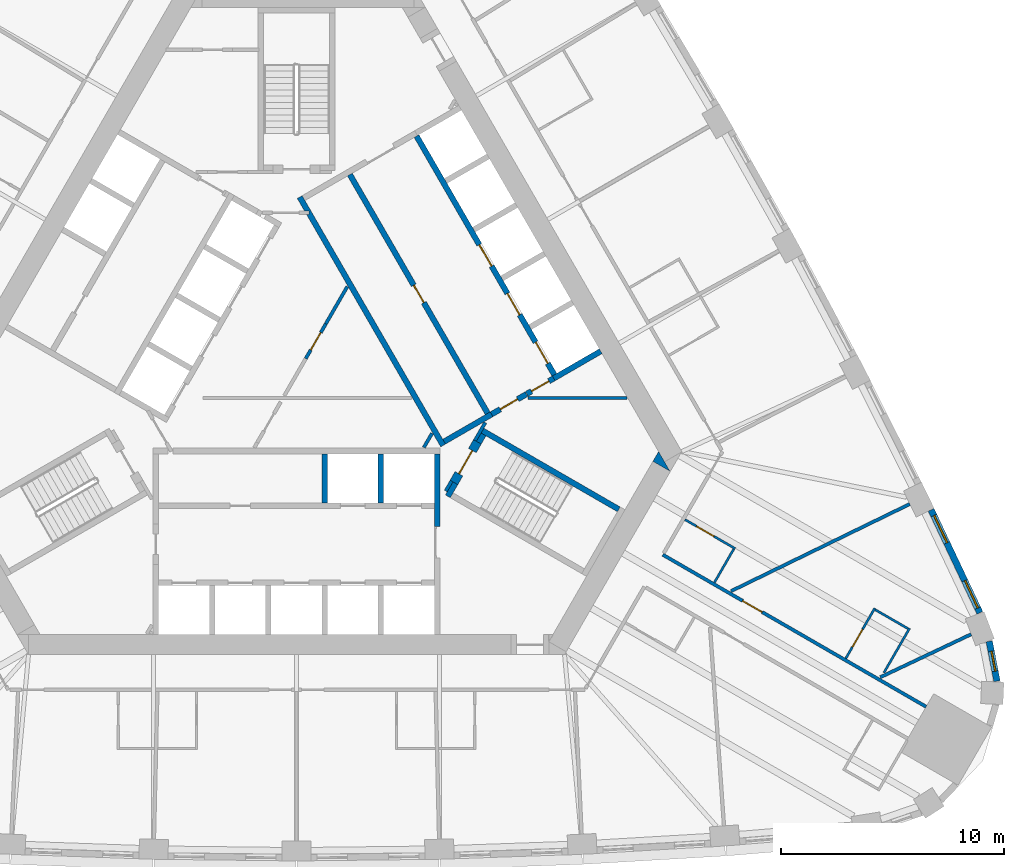
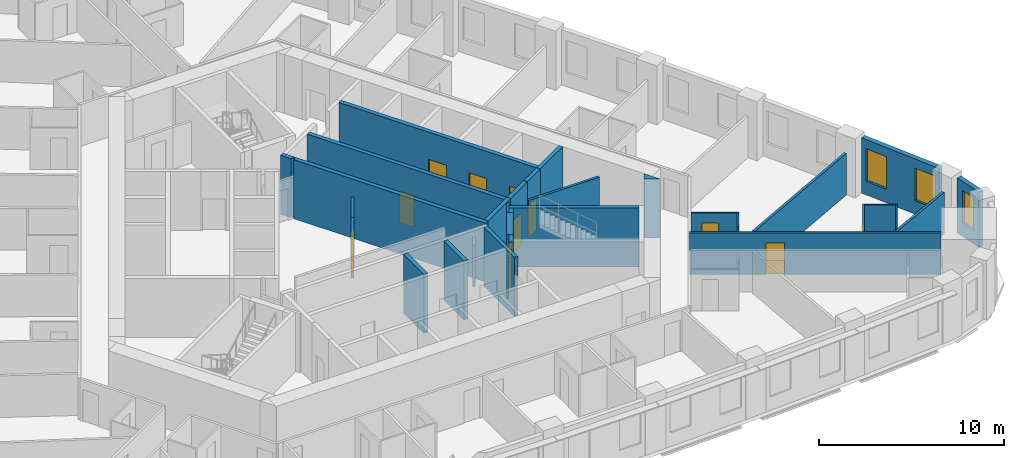
# One storey, part 8 of 13: 31 walls, 11 doors, 3 windows, 14 openings.
"""IFC4 building model written with IfcOpenShell, lengths in metres."""

from ifc_helpers import new_model, si_unit, direction, frame, frame_2d, origin, place, context, subcontext, project, spatial, polyline, rectangle, outline, extrude, material, layer, layer_set, type_object, element, fill, save


model = new_model("IFC4")

# Units and contexts
model_context = context("Model", 3, precision=1e-05, world=origin(), true_north=direction((0.0, 1.0)))
body_context = subcontext(model_context, "Body", "Model", "MODEL_VIEW")
ifc_project = project(units=[si_unit("LENGTHUNIT", "METRE"), si_unit("AREAUNIT", "SQUARE_METRE"), si_unit("VOLUMEUNIT", "CUBIC_METRE"), si_unit("PLANEANGLEUNIT", "RADIAN"), si_unit("MASSUNIT", "GRAM", prefix="KILO")], contexts=[model_context])

# Site, building, storey
site_placement = place(None, origin())
site = spatial("IfcSite", under=ifc_project, at=site_placement, CompositionType="ELEMENT")
building_placement = place(site_placement, origin())
building = spatial("IfcBuilding", under=site, at=building_placement, Name="Mestral Congress Tower", CompositionType="ELEMENT")
storey_placement = place(building_placement, frame((0.0, 0.0, 95.39990234375)))
storey = spatial("IfcBuildingStorey", under=building, at=storey_placement, Name="L22", CompositionType="ELEMENT", Elevation=95.39990234375)

# Walls
ifc_material_1 = material(Name="Fire-rated board partition")
ifc_layer_1 = layer(ifc_material_1, 0.14990234375)
ifc_layer_set_1 = layer_set([ifc_layer_1], Name="Fire-rated board partition")
wall_type_1 = type_object("IfcWallType", Name="Core partition 150", PredefinedType="PARTITIONING", material=ifc_layer_set_1)
wall_1_placement = place(storey_placement, frame((6.94482421875, -5.22216796875, 0.0), z_axis=(0.0, 0.0, 1.0), x_axis=(-0.499818422106, -0.866130212453, 0.0)))
element("IfcWall", 1, at=wall_1_placement, inside=storey, type_object=wall_type_1, Name="L22 core wall", PredefinedType="PARTITIONING", context=body_context, shape_type="SweptSolid", body=[
    extrude(rectangle(XDim=0.513916015625, YDim=0.14990234375, at=frame_2d((0.2568359375, 0.0))), origin(), (0.0, 0.0, 1.0), 2.75),
])
wall_2_placement = place(storey_placement, frame((5.704833984375, -3.718017578125, 0.0), z_axis=(0.0, 0.0, 1.0), x_axis=(0.499962090823, 0.866047289552, 0.0)))
element("IfcWall", 2, at=wall_2_placement, inside=storey, type_object=wall_type_1, Name="L22 core wall", PredefinedType="PARTITIONING", context=body_context, shape_type="SweptSolid", body=[
    extrude(rectangle(XDim=0.73486328125, YDim=0.14990234375, at=frame_2d((0.367431640625, 0.0))), origin(), (0.0, 0.0, 1.0), 2.75),
])
wall_3_placement = place(storey_placement, frame((10.362060546875, -1.5, 0.0), z_axis=(0.0, 0.0, 1.0), x_axis=(1.0, 0.0, 0.0)))
element("IfcWall", 3, at=wall_3_placement, inside=storey, type_object=wall_type_1, Name="L22 core wall", PredefinedType="PARTITIONING", context=body_context, shape_type="SweptSolid", body=[
    extrude(rectangle(XDim=4.439208984375, YDim=0.14990234375, at=frame_2d((2.2197265625, 0.0))), origin(), (0.0, 0.0, 1.0), 2.75),
])
wall_4_placement = place(storey_placement, frame((1.311767578125, 1.822021484375, 0.0), z_axis=(0.0, 0.0, 1.0), x_axis=(0.500003549559, 0.866023354436, 0.0)))
element("IfcWall", 4, at=wall_4_placement, inside=storey, type_object=wall_type_1, Name="L22 core wall", PredefinedType="PARTITIONING", context=body_context, shape_type="SweptSolid", body=[
    extrude(rectangle(XDim=1.9296875, YDim=0.14990234375, at=frame_2d((0.96484375, 0.0))), origin(), (0.0, 0.0, 1.0), 2.75),
])

# Wall, opening, door
wall_5_placement = place(storey_placement, frame((0.41162109375, 0.26318359375, 0.0), z_axis=(0.0, 0.0, 1.0), x_axis=(0.500062916607, 0.865989075817, 0.0)))
wall_5 = element("IfcWall", 5, at=wall_5_placement, inside=storey, type_object=wall_type_1, Name="L22 door wall", PredefinedType="PARTITIONING", context=body_context, shape_type="SweptSolid", body=[
    extrude(rectangle(XDim=1.800048828125, YDim=0.14990234375, at=frame_2d((0.89990234375, 0.0))), origin(), (0.0, 0.0, 1.0), 2.75),
])
opening_1_placement = place(wall_5_placement, frame((0.449951171875, 0.0, 0.0)))
opening_1 = element("IfcOpeningElement", 6, at=opening_1_placement, cuts=wall_5, Name="Opening SD-HUB1", PredefinedType="OPENING", context=body_context, shape_type="SweptSolid", body=[
    extrude(rectangle(XDim=0.89990234375, YDim=2.10009765625, at=frame_2d((0.449951171875, 1.050048828125))), frame((0.0, 0.0849609375, 0.0), z_axis=(0.0, -1.0, 0.0), x_axis=(1.0, 0.0, 0.0)), (0.0, 0.0, 1.0), 0.169921875),
])
ifc_material_2 = material(Name="Fire-rated steel door set", Category="steel")
door_type_1 = type_object("IfcDoorType", Name="Core door SR 900x2100", OperationType="SINGLE_SWING_LEFT", PredefinedType="DOOR", material=ifc_material_2)
door_1_placement = place(opening_1_placement, origin())
door_1 = element("IfcDoor", 7, at=door_1_placement, inside=storey, type_object=door_type_1, Name="Door SD-HUB1", OperationType="SINGLE_SWING_LEFT", OverallHeight=2.10009765625, OverallWidth=0.89990234375, PredefinedType="DOOR", context=body_context, shape_type="SweptSolid", body=[
    extrude(rectangle(XDim=0.89990234375, YDim=2.10009765625, at=frame_2d((0.449951171875, 1.050048828125))), frame((0.0, 0.02490234375, 0.0), z_axis=(0.0, -1.0, 0.0), x_axis=(1.0, 0.0, 0.0)), (0.0, 0.0, 1.0), 0.050048828125),
])
fill(opening_1, door_1)

# Wall
ifc_material_3 = material(Name="Concrete C60/75", Category="concrete")
ifc_layer_2 = layer(ifc_material_3, 0.89990234375)
ifc_layer_set_2 = layer_set([ifc_layer_2], Name="Concrete C60/75")
wall_type_2 = type_object("IfcWallType", Name="Core wall RC 900", PredefinedType="SOLIDWALL", material=ifc_layer_set_2)
placement = place(storey_placement, origin())
element("IfcWall", 8, at=placement, inside=storey, type_object=wall_type_2, Name="L22 core wall", PredefinedType="SOLIDWALL", context=body_context, shape_type="SweptSolid", body=[
    extrude(outline(polyline([(16.223388671875, -3.900146484375), (16.731689453125, -4.780029296875), (15.969482421875, -4.340087890625), (16.223388671875, -3.900146484375)])), origin(), (0.0, 0.0, 1.0), 3.900146484375),
])

# Wall, opening, window
ifc_material_4 = material(Name="Precast concrete C40/50 with limestone facing", Category="masonry")
ifc_layer_3 = layer(ifc_material_4, 0.2900390625)
ifc_layer_set_3 = layer_set([ifc_layer_3], Name="Precast concrete C40/50 with limestone facing")
wall_type_3 = type_object("IfcWallType", Name="Facade stone wall 290", PredefinedType="SOLIDWALL", material=ifc_layer_set_3)
wall_7_placement = place(storey_placement, frame((31.385498046875, -14.189208984375, 0.0), z_axis=(0.0, 0.0, 1.0), x_axis=(-0.190409913989, 0.981704672829, 0.0)))
wall_7 = element("IfcWall", 9, at=wall_7_placement, inside=storey, type_object=wall_type_3, Name="Facade wall K0-3", PredefinedType="SOLIDWALL", context=body_context, shape_type="SweptSolid", body=[
    extrude(rectangle(XDim=1.8193359375, YDim=0.2900390625, at=frame_2d((0.90966796875, 0.0))), origin(), (0.0, 0.0, 1.0), 3.650146484375),
])
opening_2_placement = place(wall_7_placement, frame((0.459716796875, 0.0, 0.89990234375)))
opening_2 = element("IfcOpeningElement", 10, at=opening_2_placement, cuts=wall_7, Name="Opening W3", PredefinedType="OPENING", context=body_context, shape_type="SweptSolid", body=[
    extrude(rectangle(XDim=0.89990234375, YDim=2.14990234375, at=frame_2d((0.449951171875, 1.074951171875))), frame((0.0, 0.155029296875, 0.0), z_axis=(0.0, -1.0, 0.0), x_axis=(1.0, 0.0, 0.0)), (0.0, 0.0, 1.0), 0.31005859375),
])
ifc_material_5 = material(Name="Clear low-emissivity double glazing", Category="glass")
window_type_1 = type_object("IfcWindowType", Name="Facade punched window 900 x 2150 sill 900", PartitioningType="SINGLE_PANEL", PredefinedType="WINDOW", material=ifc_material_5)
window_1_placement = place(opening_2_placement, origin())
window_1 = element("IfcWindow", 11, at=window_1_placement, inside=storey, type_object=window_type_1, Name="Window K0-3", OverallHeight=2.14990234375, OverallWidth=0.89990234375, PartitioningType="SINGLE_PANEL", PredefinedType="WINDOW", context=body_context, shape_type="SweptSolid", body=[
    extrude(rectangle(XDim=0.89990234375, YDim=2.14990234375, at=frame_2d((0.449951171875, 1.074951171875))), frame((0.0, 0.01513671875, 0.0), z_axis=(0.0, -1.0, 0.0), x_axis=(1.0, 0.0, 0.0)), (0.0, 0.0, 1.0), 0.06005859375),
])
fill(opening_2, window_1)

# Wall, openings, windows
wall_8_placement = place(storey_placement, frame((30.61962890625, -11.127197265625, 0.0), z_axis=(0.0, 0.0, 1.0), x_axis=(-0.427543726596, 0.903994669148, 0.0)))
wall_8 = element("IfcWall", 12, at=wall_8_placement, inside=storey, type_object=wall_type_3, Name="Facade wall F1-00", PredefinedType="SOLIDWALL", context=body_context, shape_type="SweptSolid", body=[
    extrude(rectangle(XDim=5.106689453125, YDim=0.2900390625, at=frame_2d((2.55322265625, 0.0))), origin(), (0.0, 0.0, 1.0), 3.650146484375),
])
opening_3_placement = place(wall_8_placement, frame((0.240478515625, 0.0, 0.89990234375)))
opening_3 = element("IfcOpeningElement", 13, at=opening_3_placement, cuts=wall_8, Name="Opening W2", PredefinedType="OPENING", context=body_context, shape_type="SweptSolid", body=[
    extrude(rectangle(XDim=1.35009765625, YDim=2.14990234375, at=frame_2d((0.675048828125, 1.074951171875))), frame((0.0, 0.155029296875, 0.0), z_axis=(0.0, -1.0, 0.0), x_axis=(1.0, 0.0, 0.0)), (0.0, 0.0, 1.0), 0.31005859375),
])
opening_4_placement = place(wall_8_placement, frame((3.47119140625, 0.0, 0.89990234375)))
opening_4 = element("IfcOpeningElement", 14, at=opening_4_placement, cuts=wall_8, Name="Opening W2", PredefinedType="OPENING", context=body_context, shape_type="SweptSolid", body=[
    extrude(rectangle(XDim=1.35009765625, YDim=2.14990234375, at=frame_2d((0.675048828125, 1.074951171875))), frame((0.0, 0.155029296875, 0.0), z_axis=(0.0, -1.0, 0.0), x_axis=(1.0, 0.0, 0.0)), (0.0, 0.0, 1.0), 0.31005859375),
])
window_type_2 = type_object("IfcWindowType", Name="Facade punched window 1350 x 2150 sill 900", PartitioningType="DOUBLE_PANEL_VERTICAL", PredefinedType="WINDOW", material=ifc_material_5)
window_2_placement = place(opening_3_placement, origin())
window_2 = element("IfcWindow", 15, at=window_2_placement, inside=storey, type_object=window_type_2, Name="Window F1-00a", OverallHeight=2.14990234375, OverallWidth=1.35009765625, PartitioningType="DOUBLE_PANEL_VERTICAL", PredefinedType="WINDOW", context=body_context, shape_type="SweptSolid", body=[
    extrude(rectangle(XDim=1.35009765625, YDim=2.14990234375, at=frame_2d((0.675048828125, 1.074951171875))), frame((0.0, 0.01513671875, 0.0), z_axis=(0.0, -1.0, 0.0), x_axis=(1.0, 0.0, 0.0)), (0.0, 0.0, 1.0), 0.06005859375),
])
fill(opening_3, window_2)
window_3_placement = place(opening_4_placement, origin())
window_3 = element("IfcWindow", 16, at=window_3_placement, inside=storey, type_object=window_type_2, Name="Window F1-00b", OverallHeight=2.14990234375, OverallWidth=1.35009765625, PartitioningType="DOUBLE_PANEL_VERTICAL", PredefinedType="WINDOW", context=body_context, shape_type="SweptSolid", body=[
    extrude(rectangle(XDim=1.35009765625, YDim=2.14990234375, at=frame_2d((0.675048828125, 1.074951171875))), frame((0.0, 0.01513671875, 0.0), z_axis=(0.0, -1.0, 0.0), x_axis=(1.0, 0.0, 0.0)), (0.0, 0.0, 1.0), 0.06005859375),
])
fill(opening_4, window_3)

# Wall, opening, door
ifc_material_6 = material(Name="Gypsum board partition on metal studs with mineral wool", Category="composite")
ifc_layer_4 = layer(ifc_material_6, 0.10009765625)
ifc_layer_set_4 = layer_set([ifc_layer_4], Name="Gypsum board partition on metal studs with mineral wool")
wall_type_4 = type_object("IfcWallType", Name="Hotel partition wall 100", PredefinedType="PARTITIONING", material=ifc_layer_set_4)
wall_9_placement = place(storey_placement, frame((25.91015625, -10.917724609375, 0.0), z_axis=(0.0, 0.0, 1.0), x_axis=(-0.500006934395, -0.866021400173, 0.0)))
wall_9 = element("IfcWall", 17, at=wall_9_placement, inside=storey, type_object=wall_type_4, Name="L22-h-pod09a", PredefinedType="PARTITIONING", context=body_context, shape_type="SweptSolid", body=[
    extrude(rectangle(XDim=2.60009765625, YDim=0.10009765625, at=frame_2d((1.300048828125, 0.0))), origin(), (0.0, 0.0, 1.0), 2.75),
])
opening_5_placement = place(wall_9_placement, frame((1.10009765625, 0.0, 0.0)))
opening_5 = element("IfcOpeningElement", 18, at=opening_5_placement, cuts=wall_9, Name="Opening H07-018", PredefinedType="OPENING", context=body_context, shape_type="SweptSolid", body=[
    extrude(rectangle(XDim=0.89990234375, YDim=2.10009765625, at=frame_2d((0.449951171875, 1.050048828125))), frame((0.0, 0.06005859375, 0.0), z_axis=(0.0, -1.0, 0.0), x_axis=(1.0, 0.0, 0.0)), (0.0, 0.0, 1.0), 0.1201171875),
])
ifc_material_7 = material(Name="Timber veneer door leaf in timber frame", Category="wood")
door_type_2 = type_object("IfcDoorType", Name="Bathroom door 900", OperationType="SINGLE_SWING_LEFT", PredefinedType="DOOR", material=ifc_material_7)
door_2_placement = place(opening_5_placement, origin())
door_2 = element("IfcDoor", 19, at=door_2_placement, inside=storey, type_object=door_type_2, Name="L22-h-d018", OperationType="SINGLE_SWING_RIGHT", OverallHeight=2.10009765625, OverallWidth=0.89990234375, PredefinedType="DOOR", context=body_context, shape_type="SweptSolid", body=[
    extrude(rectangle(XDim=0.89990234375, YDim=2.10009765625, at=frame_2d((0.449951171875, 1.050048828125))), frame((0.0, 0.02490234375, 0.0), z_axis=(0.0, -1.0, 0.0), x_axis=(1.0, 0.0, 0.0)), (0.0, 0.0, 1.0), 0.050048828125),
])
fill(opening_5, door_2)

# Walls
wall_10_placement = place(storey_placement, frame((25.928466796875, -10.986083984375, 0.0), z_axis=(0.0, 0.0, 1.0), x_axis=(0.866025371046, -0.500000056704, 0.0)))
element("IfcWall", 20, at=wall_10_placement, inside=storey, type_object=wall_type_4, Name="L22-h-pod09b", PredefinedType="PARTITIONING", context=body_context, shape_type="SweptSolid", body=[
    extrude(rectangle(XDim=1.7001953125, YDim=0.10009765625, at=frame_2d((0.85009765625, 0.0))), origin(), (0.0, 0.0, 1.0), 2.75),
])
wall_11_placement = place(storey_placement, frame((26.319091796875, -13.809814453125, 0.0), z_axis=(0.0, 0.0, 1.0), x_axis=(0.499952165731, 0.866053019151, 0.0)))
element("IfcWall", 21, at=wall_11_placement, inside=storey, type_object=wall_type_4, Name="L22-h-pod09c", PredefinedType="PARTITIONING", context=body_context, shape_type="SweptSolid", body=[
    extrude(rectangle(XDim=2.300048828125, YDim=0.10009765625, at=frame_2d((1.14990234375, 0.0))), origin(), (0.0, 0.0, 1.0), 2.75),
])

# Wall, opening, door
wall_12_placement = place(storey_placement, frame((19.658935546875, -8.249755859375, 0.0), z_axis=(0.0, 0.0, 1.0), x_axis=(-0.866021400173, 0.500006934395, 0.0)))
wall_12 = element("IfcWall", 22, at=wall_12_placement, inside=storey, type_object=wall_type_4, Name="L22-h-pod10a", PredefinedType="PARTITIONING", context=body_context, shape_type="SweptSolid", body=[
    extrude(rectangle(XDim=2.60009765625, YDim=0.10009765625, at=frame_2d((1.300048828125, 0.0))), origin(), (0.0, 0.0, 1.0), 2.75),
])
opening_6_placement = place(wall_12_placement, frame((1.10009765625, 0.0, 0.0)))
opening_6 = element("IfcOpeningElement", 23, at=opening_6_placement, cuts=wall_12, Name="Opening H07-020", PredefinedType="OPENING", context=body_context, shape_type="SweptSolid", body=[
    extrude(rectangle(XDim=0.89990234375, YDim=2.10009765625, at=frame_2d((0.449951171875, 1.050048828125))), frame((0.0, 0.06005859375, 0.0), z_axis=(0.0, -1.0, 0.0), x_axis=(1.0, 0.0, 0.0)), (0.0, 0.0, 1.0), 0.1201171875),
])
door_3_placement = place(opening_6_placement, origin())
door_3 = element("IfcDoor", 24, at=door_3_placement, inside=storey, type_object=door_type_2, Name="L22-h-d020", OperationType="SINGLE_SWING_LEFT", OverallHeight=2.10009765625, OverallWidth=0.89990234375, PredefinedType="DOOR", context=body_context, shape_type="SweptSolid", body=[
    extrude(rectangle(XDim=0.89990234375, YDim=2.10009765625, at=frame_2d((0.449951171875, 1.050048828125))), frame((0.0, 0.02490234375, 0.0), z_axis=(0.0, -1.0, 0.0), x_axis=(1.0, 0.0, 0.0)), (0.0, 0.0, 1.0), 0.050048828125),
])
fill(opening_6, door_3)

# Wall
wall_13_placement = place(storey_placement, frame((19.590576171875, -8.26806640625, 0.0), z_axis=(0.0, 0.0, 1.0), x_axis=(-0.500040090343, -0.866002256377, 0.0)))
element("IfcWall", 25, at=wall_13_placement, inside=storey, type_object=wall_type_4, Name="L22-h-pod10b", PredefinedType="PARTITIONING", context=body_context, shape_type="SweptSolid", body=[
    extrude(rectangle(XDim=1.729736328125, YDim=0.10009765625, at=frame_2d((0.86474609375, 0.0))), origin(), (0.0, 0.0, 1.0), 2.75),
])

# Wall, opening, door
ifc_layer_5 = layer(ifc_material_6, 0.14990234375)
ifc_layer_set_5 = layer_set([ifc_layer_5], Name="Gypsum board partition on metal studs with mineral wool")
wall_type_5 = type_object("IfcWallType", Name="Hotel partition wall 150", PredefinedType="PARTITIONING", material=ifc_layer_set_5)
wall_14_placement = place(storey_placement, frame((16.412353515625, -8.52294921875, 0.0), z_axis=(0.0, 0.0, 1.0), x_axis=(0.866025629663, -0.499999608766, 0.0)))
wall_14 = element("IfcWall", 26, at=wall_14_placement, inside=storey, type_object=wall_type_5, Name="L22-h-cw01", PredefinedType="PARTITIONING", context=body_context, shape_type="SweptSolid", body=[
    extrude(rectangle(XDim=13.62353515625, YDim=0.14990234375, at=frame_2d((6.811767578125, 0.0))), origin(), (0.0, 0.0, 1.0), 2.75),
])
opening_7_placement = place(wall_14_placement, frame((4.134033203125, 0.0, 0.0)))
opening_7 = element("IfcOpeningElement", 27, at=opening_7_placement, cuts=wall_14, Name="Opening H07-017", PredefinedType="OPENING", context=body_context, shape_type="SweptSolid", body=[
    extrude(rectangle(XDim=1.0, YDim=2.10009765625, at=frame_2d((0.5, 1.050048828125))), frame((0.0, 0.0849609375, 0.0), z_axis=(0.0, -1.0, 0.0), x_axis=(1.0, 0.0, 0.0)), (0.0, 0.0, 1.0), 0.169921875),
])
ifc_material_8 = material(Name="Timber veneer door leaf in metal frame", Category="wood")
door_type_3 = type_object("IfcDoorType", Name="Guest room entrance door 1000", OperationType="SINGLE_SWING_LEFT", PredefinedType="DOOR", material=ifc_material_8)
door_4_placement = place(opening_7_placement, origin())
door_4 = element("IfcDoor", 28, at=door_4_placement, inside=storey, type_object=door_type_3, Name="L22-h-d017", OperationType="SINGLE_SWING_LEFT", OverallHeight=2.10009765625, OverallWidth=1.0, PredefinedType="DOOR", context=body_context, shape_type="SweptSolid", body=[
    extrude(rectangle(XDim=1.0, YDim=2.10009765625, at=frame_2d((0.5, 1.050048828125))), frame((0.0, 0.02490234375, 0.0), z_axis=(0.0, -1.0, 0.0), x_axis=(1.0, 0.0, 0.0)), (0.0, 0.0, 1.0), 0.050048828125),
])
fill(opening_7, door_4)

# Walls
wall_15_placement = place(storey_placement, frame((27.478515625, -6.2509765625, 0.0), z_axis=(0.0, 0.0, 1.0), x_axis=(-0.898945877276, -0.438059710231, 0.0)))
element("IfcWall", 29, at=wall_15_placement, inside=storey, type_object=wall_type_5, Name="L22-h-pw27", PredefinedType="PARTITIONING", context=body_context, shape_type="SweptSolid", body=[
    extrude(rectangle(XDim=8.909423828125, YDim=0.14990234375, at=frame_2d((4.45458984375, 0.0))), origin(), (0.0, 0.0, 1.0), 2.75),
])
wall_16_placement = place(storey_placement, frame((30.23095703125, -12.08544921875, 0.0), z_axis=(0.0, 0.0, 1.0), x_axis=(-0.904001132572, -0.427530060122, 0.0)))
element("IfcWall", 30, at=wall_16_placement, inside=storey, type_object=wall_type_5, Name="L22-h-pw28", PredefinedType="PARTITIONING", context=body_context, shape_type="SweptSolid", body=[
    extrude(rectangle(XDim=4.509521484375, YDim=0.14990234375, at=frame_2d((2.2548828125, 0.0))), origin(), (0.0, 0.0, 1.0), 2.75),
])
ifc_layer_6 = layer(ifc_material_3, 0.25)
ifc_layer_set_6 = layer_set([ifc_layer_6], Name="Concrete C60/75")
wall_type_6 = type_object("IfcWallType", Name="Shaft wall RC 250", PredefinedType="SOLIDWALL", material=ifc_layer_set_6)
wall_17_placement = place(storey_placement, frame((6.300048828125, -7.26806640625, 0.0), z_axis=(0.0, 0.0, 1.0), x_axis=(0.0, 1.0, 0.0)))
element("IfcWall", 31, at=wall_17_placement, inside=storey, type_object=wall_type_6, Name="L22 core wall", PredefinedType="SOLIDWALL", context=body_context, shape_type="SweptSolid", body=[
    extrude(rectangle(XDim=3.26806640625, YDim=0.25, at=frame_2d((1.634033203125, 0.0))), origin(), (0.0, 0.0, 1.0), 3.900146484375),
])
for number, where, z_axis, x_axis, name in (
    (32, (3.780029296875, -4.0, 0.0), (0.0, 0.0, 1.0), (0.0, -1.0, 0.0), "L22 core wall"),
    (33, (1.260009765625, -4.0, 0.0), (0.0, 0.0, 1.0), (0.0, -1.0, 0.0), "L22 core wall"),
):
    element("IfcWall", number, at=place(storey_placement, frame(where, z_axis=z_axis, x_axis=x_axis)), inside=storey, type_object=wall_type_6, Name=name, PredefinedType="SOLIDWALL", context=body_context, shape_type="SweptSolid", body=[
        extrude(rectangle(XDim=2.199951171875, YDim=0.25, at=frame_2d((1.10009765625, 0.0))), origin(), (0.0, 0.0, 1.0), 3.900146484375),
    ])
wall_18_placement = place(storey_placement, frame((13.62890625, 0.593994140625, 0.0), z_axis=(0.0, 0.0, 1.0), x_axis=(-0.866063384774, -0.499934209226, 0.0)))
element("IfcWall", 34, at=wall_18_placement, inside=storey, type_object=wall_type_6, Name="L22 core wall", PredefinedType="SOLIDWALL", context=body_context, shape_type="SweptSolid", body=[
    extrude(rectangle(XDim=2.428466796875, YDim=0.25, at=frame_2d((1.21435546875, 0.0))), origin(), (0.0, 0.0, 1.0), 3.900146484375),
])
element("IfcWall", 35, at=placement, inside=storey, type_object=wall_type_6, Name="L22 core wall", PredefinedType="SOLIDWALL", context=body_context, shape_type="SweptSolid", body=[
    extrude(outline(polyline([(0.565673828125, 6.72509765625), (0.565673828125, 6.875), (0.565673828125, 6.875), (0.5654296875, 6.875), (0.36083984375, 6.875), (0.03515625, 7.439208984375), (0.251708984375, 7.564208984375), (0.376708984375, 7.34765625), (6.551513671875, -3.34765625), (6.676513671875, -3.564208984375), (6.460205078125, -3.689208984375), (0.447509765625, 6.724853515625), (0.5654296875, 6.724853515625), (0.565673828125, 6.724853515625), (0.565673828125, 6.72509765625)])), origin(), (0.0, 0.0, 1.0), 3.900146484375),
])
wall_20_placement = place(storey_placement, frame((6.614013671875, -3.4560546875, 0.0), z_axis=(0.0, 0.0, 1.0), x_axis=(0.866031582473, 0.499989298045, 0.0)))
element("IfcWall", 36, at=wall_20_placement, inside=storey, type_object=wall_type_6, Name="L22 core wall", PredefinedType="SOLIDWALL", context=body_context, shape_type="SweptSolid", body=[
    extrude(rectangle(XDim=2.455078125, YDim=0.25, at=frame_2d((1.2275390625, 0.0))), origin(), (0.0, 0.0, 1.0), 3.900146484375),
])

# Wall, openings, doors
wall_21_placement = place(storey_placement, frame((11.552978515625, -0.460205078125, 0.0), z_axis=(0.0, 0.0, 1.0), x_axis=(-0.500006514828, 0.866021642414, 0.0)))
wall_21 = element("IfcWall", 37, at=wall_21_placement, inside=storey, type_object=wall_type_6, Name="L22 door wall", PredefinedType="SOLIDWALL", context=body_context, shape_type="SweptSolid", body=[
    extrude(rectangle(XDim=12.349853515625, YDim=0.25, at=frame_2d((6.1748046875, 0.0))), origin(), (0.0, 0.0, 1.0), 3.900146484375),
])
opening_8_placement = place(wall_21_placement, frame((0.5849609375, 0.0, 0.0)))
opening_8 = element("IfcOpeningElement", 38, at=opening_8_placement, cuts=wall_21, Name="Opening LD-NEA1", PredefinedType="OPENING", context=body_context, shape_type="SweptSolid", body=[
    extrude(rectangle(XDim=1.10009765625, YDim=2.10009765625, at=frame_2d((0.550048828125, 1.050048828125))), frame((0.0, 0.135009765625, 0.0), z_axis=(0.0, -1.0, 0.0), x_axis=(1.0, 0.0, 0.0)), (0.0, 0.0, 1.0), 0.27001953125),
])
opening_9_placement = place(wall_21_placement, frame((3.10498046875, 0.0, 0.0)))
opening_9 = element("IfcOpeningElement", 39, at=opening_9_placement, cuts=wall_21, Name="Opening LD-NEA2", PredefinedType="OPENING", context=body_context, shape_type="SweptSolid", body=[
    extrude(rectangle(XDim=1.10009765625, YDim=2.10009765625, at=frame_2d((0.550048828125, 1.050048828125))), frame((0.0, 0.135009765625, 0.0), z_axis=(0.0, -1.0, 0.0), x_axis=(1.0, 0.0, 0.0)), (0.0, 0.0, 1.0), 0.27001953125),
])
opening_10_placement = place(wall_21_placement, frame((5.625, 0.0, 0.0)))
opening_10 = element("IfcOpeningElement", 40, at=opening_10_placement, cuts=wall_21, Name="Opening LD-NEA3", PredefinedType="OPENING", context=body_context, shape_type="SweptSolid", body=[
    extrude(rectangle(XDim=1.10009765625, YDim=2.10009765625, at=frame_2d((0.550048828125, 1.050048828125))), frame((0.0, 0.135009765625, 0.0), z_axis=(0.0, -1.0, 0.0), x_axis=(1.0, 0.0, 0.0)), (0.0, 0.0, 1.0), 0.27001953125),
])
door_type_4 = type_object("IfcDoorType", Name="Core door LD 1100x2100", OperationType="DOUBLE_DOOR_SLIDING", PredefinedType="DOOR", material=ifc_material_2)
door_5_placement = place(opening_8_placement, origin())
door_5 = element("IfcDoor", 41, at=door_5_placement, inside=storey, type_object=door_type_4, Name="Door LD-NEA1", OperationType="DOUBLE_DOOR_SLIDING", OverallHeight=2.10009765625, OverallWidth=1.10009765625, PredefinedType="DOOR", context=body_context, shape_type="SweptSolid", body=[
    extrude(rectangle(XDim=1.10009765625, YDim=2.10009765625, at=frame_2d((0.550048828125, 1.050048828125))), frame((0.0, 0.02490234375, 0.0), z_axis=(0.0, -1.0, 0.0), x_axis=(1.0, 0.0, 0.0)), (0.0, 0.0, 1.0), 0.050048828125),
])
fill(opening_8, door_5)
door_6_placement = place(opening_9_placement, origin())
door_6 = element("IfcDoor", 42, at=door_6_placement, inside=storey, type_object=door_type_4, Name="Door LD-NEA2", OperationType="DOUBLE_DOOR_SLIDING", OverallHeight=2.10009765625, OverallWidth=1.10009765625, PredefinedType="DOOR", context=body_context, shape_type="SweptSolid", body=[
    extrude(rectangle(XDim=1.10009765625, YDim=2.10009765625, at=frame_2d((0.550048828125, 1.050048828125))), frame((0.0, 0.02490234375, 0.0), z_axis=(0.0, -1.0, 0.0), x_axis=(1.0, 0.0, 0.0)), (0.0, 0.0, 1.0), 0.050048828125),
])
fill(opening_9, door_6)
door_7_placement = place(opening_10_placement, origin())
door_7 = element("IfcDoor", 43, at=door_7_placement, inside=storey, type_object=door_type_4, Name="Door LD-NEA3", OperationType="DOUBLE_DOOR_SLIDING", OverallHeight=2.10009765625, OverallWidth=1.10009765625, PredefinedType="DOOR", context=body_context, shape_type="SweptSolid", body=[
    extrude(rectangle(XDim=1.10009765625, YDim=2.10009765625, at=frame_2d((0.550048828125, 1.050048828125))), frame((0.0, 0.02490234375, 0.0), z_axis=(0.0, -1.0, 0.0), x_axis=(1.0, 0.0, 0.0)), (0.0, 0.0, 1.0), 0.050048828125),
])
fill(opening_10, door_7)

# Wall, opening, door
wall_22_placement = place(storey_placement, frame((8.565185546875, -2.185302734375, 0.0), z_axis=(0.0, 0.0, 1.0), x_axis=(-0.499997954832, 0.866026584559, 0.0)))
wall_22 = element("IfcWall", 44, at=wall_22_placement, inside=storey, type_object=wall_type_6, Name="L22 door wall", PredefinedType="SOLIDWALL", context=body_context, shape_type="SweptSolid", body=[
    extrude(rectangle(XDim=12.35009765625, YDim=0.25, at=frame_2d((6.175048828125, 0.0))), origin(), (0.0, 0.0, 1.0), 3.900146484375),
])
opening_11_placement = place(wall_22_placement, frame((5.72509765625, 0.0, 0.0)))
opening_11 = element("IfcOpeningElement", 45, at=opening_11_placement, cuts=wall_22, Name="Opening SR-NEB1", PredefinedType="OPENING", context=body_context, shape_type="SweptSolid", body=[
    extrude(rectangle(XDim=0.89990234375, YDim=2.10009765625, at=frame_2d((0.449951171875, 1.050048828125))), frame((0.0, 0.135009765625, 0.0), z_axis=(0.0, -1.0, 0.0), x_axis=(1.0, 0.0, 0.0)), (0.0, 0.0, 1.0), 0.27001953125),
])
door_8_placement = place(opening_11_placement, origin())
door_8 = element("IfcDoor", 46, at=door_8_placement, inside=storey, type_object=door_type_1, Name="Door SR-NEB1", OperationType="SINGLE_SWING_LEFT", OverallHeight=2.10009765625, OverallWidth=0.89990234375, PredefinedType="DOOR", context=body_context, shape_type="SweptSolid", body=[
    extrude(rectangle(XDim=0.89990234375, YDim=2.10009765625, at=frame_2d((0.449951171875, 1.050048828125))), frame((0.0, 0.02490234375, 0.0), z_axis=(0.0, -1.0, 0.0), x_axis=(1.0, 0.0, 0.0)), (0.0, 0.0, 1.0), 0.050048828125),
])
fill(opening_11, door_8)

wall_23_placement = place(storey_placement, frame((8.740478515625, -2.228515625, 0.0), z_axis=(0.0, 0.0, 1.0), x_axis=(0.865989075817, 0.500062916607, 0.0)))
wall_23 = element("IfcWall", 47, at=wall_23_placement, inside=storey, type_object=wall_type_6, Name="L22 door wall", PredefinedType="SOLIDWALL", context=body_context, shape_type="SweptSolid", body=[
    extrude(rectangle(XDim=1.800048828125, YDim=0.25, at=frame_2d((0.89990234375, 0.0))), origin(), (0.0, 0.0, 1.0), 3.900146484375),
])
opening_12_placement = place(wall_23_placement, frame((0.449951171875, 0.0, 0.0)))
opening_12 = element("IfcOpeningElement", 48, at=opening_12_placement, cuts=wall_23, Name="Opening TD1", PredefinedType="OPENING", context=body_context, shape_type="SweptSolid", body=[
    extrude(rectangle(XDim=0.89990234375, YDim=2.10009765625, at=frame_2d((0.449951171875, 1.050048828125))), frame((0.0, 0.135009765625, 0.0), z_axis=(0.0, -1.0, 0.0), x_axis=(1.0, 0.0, 0.0)), (0.0, 0.0, 1.0), 0.27001953125),
])
door_9_placement = place(opening_12_placement, origin())
door_9 = element("IfcDoor", 49, at=door_9_placement, inside=storey, type_object=door_type_1, Name="Door TD1", OperationType="SINGLE_SWING_LEFT", OverallHeight=2.10009765625, OverallWidth=0.89990234375, PredefinedType="DOOR", context=body_context, shape_type="SweptSolid", body=[
    extrude(rectangle(XDim=0.89990234375, YDim=2.10009765625, at=frame_2d((0.449951171875, 1.050048828125))), frame((0.0, 0.02490234375, 0.0), z_axis=(0.0, -1.0, 0.0), x_axis=(1.0, 0.0, 0.0)), (0.0, 0.0, 1.0), 0.050048828125),
])
fill(opening_12, door_9)

wall_24_placement = place(storey_placement, frame((10.31298828125, -1.3203125, 0.0), z_axis=(0.0, 0.0, 1.0), x_axis=(0.866034573852, 0.49998411664, 0.0)))
wall_24 = element("IfcWall", 50, at=wall_24_placement, inside=storey, type_object=wall_type_6, Name="L22 door wall", PredefinedType="SOLIDWALL", context=body_context, shape_type="SweptSolid", body=[
    extrude(rectangle(XDim=1.39990234375, YDim=0.25, at=frame_2d((0.699951171875, 0.0))), origin(), (0.0, 0.0, 1.0), 3.900146484375),
])
opening_13_placement = place(wall_24_placement, frame((0.25, 0.0, 0.0)))
opening_13 = element("IfcOpeningElement", 51, at=opening_13_placement, cuts=wall_24, Name="Opening SD-HUB2", PredefinedType="OPENING", context=body_context, shape_type="SweptSolid", body=[
    extrude(rectangle(XDim=0.89990234375, YDim=2.10009765625, at=frame_2d((0.449951171875, 1.050048828125))), frame((0.0, 0.135009765625, 0.0), z_axis=(0.0, -1.0, 0.0), x_axis=(1.0, 0.0, 0.0)), (0.0, 0.0, 1.0), 0.27001953125),
])
door_10_placement = place(opening_13_placement, origin())
door_10 = element("IfcDoor", 52, at=door_10_placement, inside=storey, type_object=door_type_1, Name="Door SD-HUB2", OperationType="SINGLE_SWING_LEFT", OverallHeight=2.10009765625, OverallWidth=0.89990234375, PredefinedType="DOOR", context=body_context, shape_type="SweptSolid", body=[
    extrude(rectangle(XDim=0.89990234375, YDim=2.10009765625, at=frame_2d((0.449951171875, 1.050048828125))), frame((0.0, 0.02490234375, 0.0), z_axis=(0.0, -1.0, 0.0), x_axis=(1.0, 0.0, 0.0)), (0.0, 0.0, 1.0), 0.050048828125),
])
fill(opening_13, door_10)

# Walls
ifc_layer_7 = layer(ifc_material_3, 0.14990234375)
ifc_layer_set_7 = layer_set([ifc_layer_7], Name="Concrete C60/75")
wall_type_7 = type_object("IfcWallType", Name="Shaft wall RC 250 door-wall 150", PredefinedType="SOLIDWALL", material=ifc_layer_set_7)
wall_25_placement = place(storey_placement, frame((8.459228515625, -2.59912109375, 0.0), z_axis=(0.0, 0.0, 1.0), x_axis=(-0.500041054325, -0.866001699761, 0.0)))
element("IfcWall", 53, at=wall_25_placement, inside=storey, type_object=wall_type_7, Name="L22 core wall", PredefinedType="PARTITIONING", context=body_context, shape_type="SweptSolid", body=[
    extrude(rectangle(XDim=0.9287109375, YDim=0.14990234375, at=frame_2d((0.46435546875, 0.0))), origin(), (0.0, 0.0, 1.0), 3.900146484375),
])
ifc_layer_8 = layer(ifc_material_3, 0.25)
ifc_layer_set_8 = layer_set([ifc_layer_8], Name="Concrete C60/75")
wall_type_8 = type_object("IfcWallType", Name="Stair wall RC 250", PredefinedType="SOLIDWALL", material=ifc_layer_set_8)
wall_26_placement = place(storey_placement, frame((6.780029296875, -5.906494140625, 0.0), z_axis=(0.0, 0.0, 1.0), x_axis=(0.500223362819, 0.865896406789, 0.0)))
element("IfcWall", 54, at=wall_26_placement, inside=storey, type_object=wall_type_8, Name="L22 core wall", PredefinedType="SOLIDWALL", context=body_context, shape_type="SweptSolid", body=[
    extrude(rectangle(XDim=0.675048828125, YDim=0.25, at=frame_2d((0.33740234375, 0.0))), origin(), (0.0, 0.0, 1.0), 3.900146484375),
])
wall_27_placement = place(storey_placement, frame((8.33447265625, -2.96435546875, 0.0), z_axis=(0.0, 0.0, 1.0), x_axis=(0.866016039709, -0.500016218704, 0.0)))
element("IfcWall", 55, at=wall_27_placement, inside=storey, type_object=wall_type_8, Name="L22 core wall", PredefinedType="SOLIDWALL", context=body_context, shape_type="SweptSolid", body=[
    extrude(rectangle(XDim=7.050048828125, YDim=0.25, at=frame_2d((3.52490234375, 0.0))), origin(), (0.0, 0.0, 1.0), 3.900146484375),
])
wall_28_placement = place(storey_placement, frame((8.167724609375, -3.503173828125, 0.0), z_axis=(0.0, 0.0, 1.0), x_axis=(0.49972245349, 0.866185586049, 0.0)))
element("IfcWall", 56, at=wall_28_placement, inside=storey, type_object=wall_type_8, Name="L22 core wall", PredefinedType="SOLIDWALL", context=body_context, shape_type="SweptSolid", body=[
    extrude(rectangle(XDim=0.425048828125, YDim=0.25, at=frame_2d((0.21240234375, 0.0))), origin(), (0.0, 0.0, 1.0), 3.900146484375),
])

# Wall, opening, door
ifc_layer_9 = layer(ifc_material_3, 0.39990234375)
ifc_layer_set_9 = layer_set([ifc_layer_9], Name="Concrete C60/75")
wall_type_9 = type_object("IfcWallType", Name="Stair wall RC 250 door-wall 400", PredefinedType="SOLIDWALL", material=ifc_layer_set_9)
wall_29_placement = place(storey_placement, frame((7.052734375, -5.2841796875, 0.0), z_axis=(0.0, 0.0, 1.0), x_axis=(0.500078061341, 0.865980330357, 0.0)))
wall_29 = element("IfcWall", 57, at=wall_29_placement, inside=storey, type_object=wall_type_9, Name="L22 door wall", PredefinedType="SOLIDWALL", context=body_context, shape_type="SweptSolid", body=[
    extrude(rectangle(XDim=2.099853515625, YDim=0.39990234375, at=frame_2d((1.0498046875, 0.0))), origin(), (0.0, 0.0, 1.0), 3.900146484375),
])
opening_14_placement = place(wall_29_placement, frame((0.449951171875, 0.0, 0.0)))
opening_14 = element("IfcOpeningElement", 58, at=opening_14_placement, cuts=wall_29, Name="Opening ST-D1", PredefinedType="OPENING", context=body_context, shape_type="SweptSolid", body=[
    extrude(rectangle(XDim=1.199951171875, YDim=2.10009765625, at=frame_2d((0.60009765625, 1.050048828125))), frame((0.0, 0.2099609375, 0.0), z_axis=(0.0, -1.0, 0.0), x_axis=(1.0, 0.0, 0.0)), (0.0, 0.0, 1.0), 0.419921875),
])
door_type_5 = type_object("IfcDoorType", Name="Core door ST 1200x2100", OperationType="SINGLE_SWING_LEFT", PredefinedType="DOOR", material=ifc_material_2)
door_11_placement = place(opening_14_placement, origin())
door_11 = element("IfcDoor", 59, at=door_11_placement, inside=storey, type_object=door_type_5, Name="Door ST-D1", OperationType="SINGLE_SWING_LEFT", OverallHeight=2.10009765625, OverallWidth=1.199951171875, PredefinedType="DOOR", context=body_context, shape_type="SweptSolid", body=[
    extrude(rectangle(XDim=1.199951171875, YDim=2.10009765625, at=frame_2d((0.60009765625, 1.050048828125))), frame((0.0, 0.02490234375, 0.0), z_axis=(0.0, -1.0, 0.0), x_axis=(1.0, 0.0, 0.0)), (0.0, 0.0, 1.0), 0.050048828125),
])
fill(opening_14, door_11)

save(model, "model.ifc")
